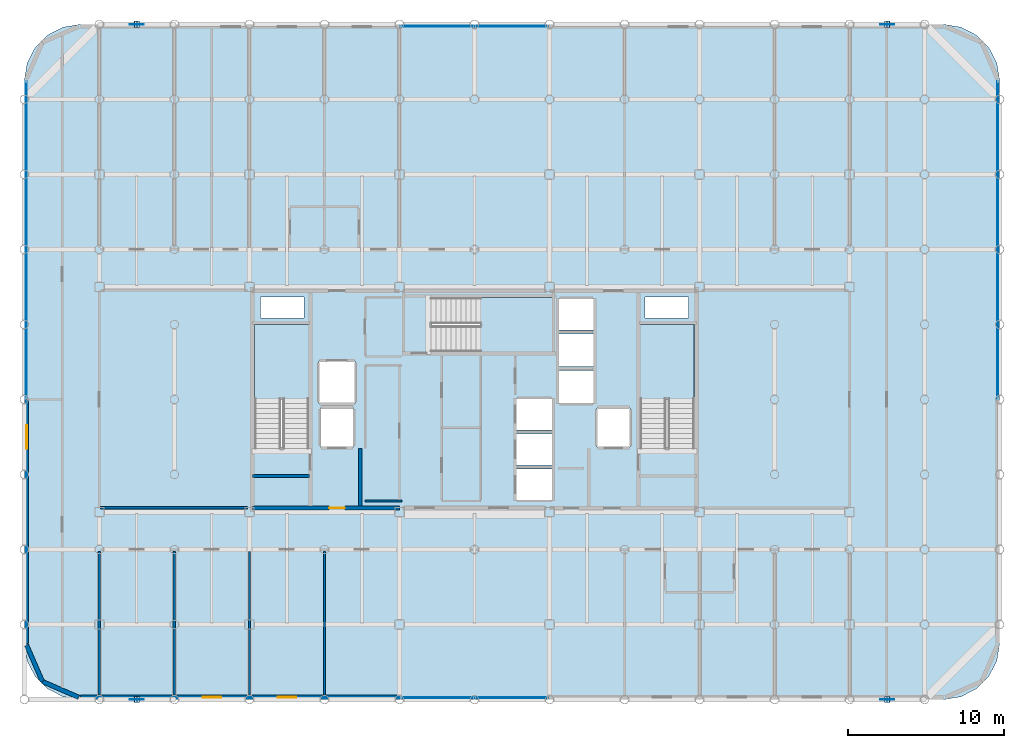
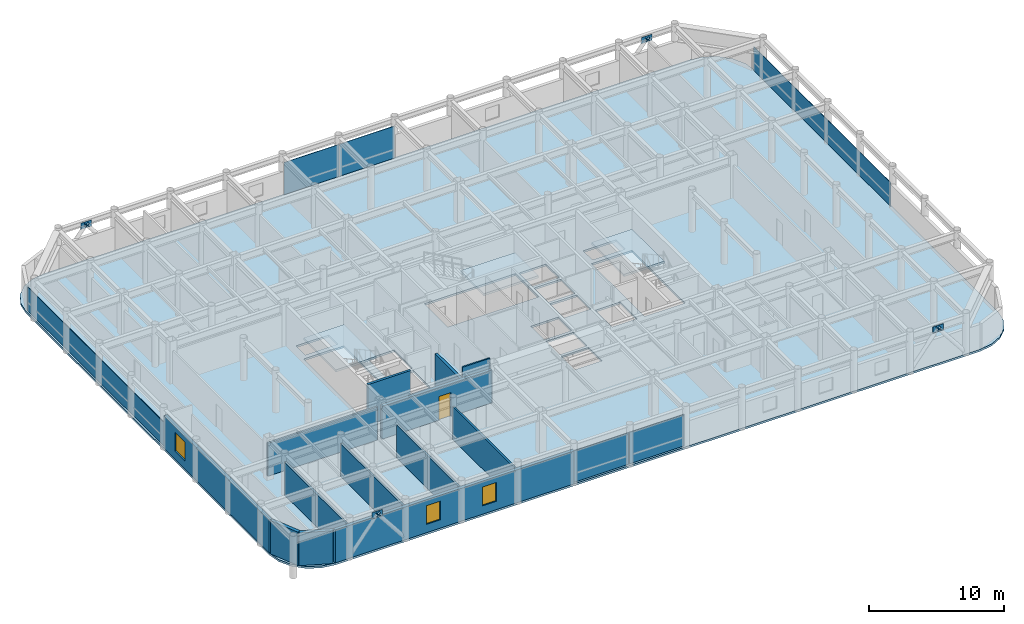
# One storey, part 17 of 22: 18 plates, 13 walls, 4 slabs, 3 windows, 1 door, 4 openings, 7 elements without a shape of their own.
"""IFC4 building model written with IfcOpenShell, lengths in metres."""

from ifc_helpers import new_model, si_unit, direction, frame, frame_2d, origin, origin_2d, place, context, subcontext, project, spatial, polyline, rectangle, outline, extrude, material, layer, layer_set, type_object, element, fill, aggregate, save


model = new_model("IFC4")

# Units and contexts
model_context = context("Model", 3, precision=1e-05, world=origin(), true_north=direction((0.0, 1.0)))
body_context = subcontext(model_context, "Body", "Model", "MODEL_VIEW")
ifc_project = project(units=[si_unit("LENGTHUNIT", "METRE"), si_unit("AREAUNIT", "SQUARE_METRE"), si_unit("VOLUMEUNIT", "CUBIC_METRE"), si_unit("PLANEANGLEUNIT", "RADIAN"), si_unit("MASSUNIT", "GRAM", prefix="KILO")], contexts=[model_context])

# Site, building, storey
site_placement = place(None, origin())
site = spatial("IfcSite", under=ifc_project, at=site_placement, CompositionType="ELEMENT")
building_placement = place(site_placement, origin())
building = spatial("IfcBuilding", under=site, at=building_placement, Name="Kallvorn Hotel Tower", CompositionType="ELEMENT")
storey_placement = place(building_placement, frame((0.0, 0.0, 230.0)))
storey = spatial("IfcBuildingStorey", under=building, at=storey_placement, Name="L57", CompositionType="ELEMENT", Elevation=230.0)

# Curtain wall, plates
ifc_material_1 = material(Name="Thermally broken black-anodised aluminium AA 6063-T6", Category="aluminium")
ifc_layer_1 = layer(ifc_material_1, 0.22998046875)
ifc_layer_set_1 = layer_set([ifc_layer_1], Name="CW_SYS_5_HOTEL_HIGH")
curtain_wall_type = type_object("IfcCurtainWallType", Name="CW_SYS_5_HOTEL_HIGH", PredefinedType="USERDEFINED", material=ifc_layer_set_1)
curtain_wall_1_placement = place(storey_placement, origin())
curtain_wall_1 = element("IfcCurtainWall", 1, at=curtain_wall_1_placement, inside=storey, type_object=curtain_wall_type, Name="L57 Dark-Glass Curtain Wall CW-L57-SC", ObjectType="UNITISED CURTAIN WALL", PredefinedType="USERDEFINED")
ifc_material_2 = material(Name="Triple-glazed low-e acoustic solar-control dark glass", Category="glass")
ifc_layer_2 = layer(ifc_material_2, 0.04150390625)
ifc_layer_set_2 = layer_set([ifc_layer_2], Name="CW_SYS_5_HOTEL_HIGH_PANEL")
plate_type_1 = type_object("IfcPlateType", Name="CW_SYS_5_HOTEL_HIGH_PANEL", PredefinedType="CURTAIN_PANEL", material=ifc_layer_set_2)
plate_1_placement = place(storey_placement, frame((-2.375, -19.080078125, 0.06005859375), z_axis=(0.0, 0.0, 1.0), x_axis=(1.0, 0.0, 0.0)))
plate_1 = element("IfcPlate", 2, at=plate_1_placement, type_object=plate_type_1, Name="CW-L57-SC Vision Glass Panel 00", PredefinedType="CURTAIN_PANEL", context=body_context, shape_type="SweptSolid", body=[
    extrude(rectangle(XDim=4.68994140625, YDim=0.04150390625, at=origin_2d()), origin(), (0.0, 0.0, 1.0), 2.85009765625),
])
plate_2_placement = place(storey_placement, frame((2.375, -19.080078125, 0.06005859375), z_axis=(0.0, 0.0, 1.0), x_axis=(1.0, 0.0, 0.0)))
plate_2 = element("IfcPlate", 3, at=plate_2_placement, type_object=plate_type_1, Name="CW-L57-SC Vision Glass Panel 01", PredefinedType="CURTAIN_PANEL", context=body_context, shape_type="SweptSolid", body=[
    extrude(rectangle(XDim=4.68994140625, YDim=0.04150390625, at=origin_2d()), origin(), (0.0, 0.0, 1.0), 2.85009765625),
])
aggregate(curtain_wall_1, [plate_1, plate_2])

curtain_wall_2_placement = place(storey_placement, origin())
curtain_wall_2 = element("IfcCurtainWall", 4, at=curtain_wall_2_placement, inside=storey, type_object=curtain_wall_type, Name="L57 Dark-Glass Curtain Wall CW-L57-NC", ObjectType="UNITISED CURTAIN WALL", PredefinedType="USERDEFINED")
plate_3_placement = place(storey_placement, frame((-2.375, 23.8798828125, 0.06005859375), z_axis=(0.0, 0.0, 1.0), x_axis=(1.0, 0.0, 0.0)))
plate_3 = element("IfcPlate", 5, at=plate_3_placement, type_object=plate_type_1, Name="CW-L57-NC Vision Glass Panel 00", PredefinedType="CURTAIN_PANEL", context=body_context, shape_type="SweptSolid", body=[
    extrude(rectangle(XDim=4.68994140625, YDim=0.04150390625, at=origin_2d()), origin(), (0.0, 0.0, 1.0), 2.89990234375),
])
plate_4_placement = place(storey_placement, frame((2.375, 23.8798828125, 0.06005859375), z_axis=(0.0, 0.0, 1.0), x_axis=(1.0, 0.0, 0.0)))
plate_4 = element("IfcPlate", 6, at=plate_4_placement, type_object=plate_type_1, Name="CW-L57-NC Vision Glass Panel 01", PredefinedType="CURTAIN_PANEL", context=body_context, shape_type="SweptSolid", body=[
    extrude(rectangle(XDim=4.68994140625, YDim=0.04150390625, at=origin_2d()), origin(), (0.0, 0.0, 1.0), 2.89990234375),
])
aggregate(curtain_wall_2, [plate_3, plate_4])

# Curtain wall, plate
curtain_wall_3_placement = place(storey_placement, origin())
curtain_wall_3 = element("IfcCurtainWall", 7, at=curtain_wall_3_placement, inside=storey, type_object=curtain_wall_type, Name="L57 Dark-Glass Curtain Wall CW-L57-WN", ObjectType="UNITISED CURTAIN WALL", PredefinedType="USERDEFINED")
plate_5_placement = place(storey_placement, frame((-28.679931640625, 10.2099609375, 0.06005859375), z_axis=(0.0, 0.0, 1.0), x_axis=(0.0, 1.0, 0.0)))
plate_5 = element("IfcPlate", 8, at=plate_5_placement, type_object=plate_type_1, Name="CW-L57-WN Vision Glass Panel 00", PredefinedType="CURTAIN_PANEL", context=body_context, shape_type="SweptSolid", body=[
    extrude(rectangle(XDim=20.320068359375, YDim=0.04150390625, at=origin_2d()), origin(), (0.0, 0.0, 1.0), 2.14990234375),
])
aggregate(curtain_wall_3, [plate_5])

curtain_wall_4_placement = place(storey_placement, origin())
curtain_wall_4 = element("IfcCurtainWall", 9, at=curtain_wall_4_placement, inside=storey, type_object=curtain_wall_type, Name="L57 Dark-Glass Curtain Wall CW-L57-EN", ObjectType="UNITISED CURTAIN WALL", PredefinedType="USERDEFINED")
plate_6_placement = place(storey_placement, frame((33.47998046875, 10.2099609375, 0.06005859375), z_axis=(0.0, 0.0, 1.0), x_axis=(0.0, 1.0, 0.0)))
plate_6 = element("IfcPlate", 10, at=plate_6_placement, type_object=plate_type_1, Name="CW-L57-EN Vision Glass Panel 00", PredefinedType="CURTAIN_PANEL", context=body_context, shape_type="SweptSolid", body=[
    extrude(rectangle(XDim=20.320068359375, YDim=0.04150390625, at=origin_2d()), origin(), (0.0, 0.0, 1.0), 2.14990234375),
])
aggregate(curtain_wall_4, [plate_6])

# Plates
ifc_material_3 = material(Name="Structural steel S355JR", Category="steel")
ifc_layer_3 = layer(ifc_material_3, 0.030029296875)
ifc_layer_set_3 = layer_set([ifc_layer_3], Name="PLT_CAP_30")
plate_type_2 = type_object("IfcPlateType", Name="PLT_CAP_30", PredefinedType="SHEET", material=ifc_layer_set_3)
plate_7_placement = place(storey_placement, frame((-21.435546875, -19.40185546875, 3.09228515625), z_axis=(0.621151664719, 0.0, 0.783690378541), x_axis=(0.0, 1.0, 0.0)))
element("IfcPlate", 11, at=plate_7_placement, inside=storey, type_object=plate_type_2, Name="EXO-L57-S1A End Cap Plate B", PredefinedType="SHEET", context=body_context, shape_type="SweptSolid", body=[
    extrude(outline(polyline([(0.0, 0.0), (0.40380859375, 0.0), (0.40380859375, 0.4040503740962029), (0.0, 0.4040503740962029), (0.0, 0.0)])), origin(), (0.0, 0.0, -1.0), 0.030029296875),
])
plate_8_placement = place(storey_placement, frame((-21.764404296875, -18.998046875, 3.09228515625), z_axis=(-0.621445895256, 0.0, 0.783457081957), x_axis=(0.0, -1.0, 0.0)))
element("IfcPlate", 12, at=plate_8_placement, inside=storey, type_object=plate_type_2, Name="EXO-L57-S1B End Cap Plate B", PredefinedType="SHEET", context=body_context, shape_type="SweptSolid", body=[
    extrude(outline(polyline([(0.0, 0.0), (0.40380859375, 0.0), (0.40380859375, 0.40385907190922293), (0.0, 0.40385907190922293), (0.0, 0.0)])), origin(), (0.0, 0.0, -1.0), 0.030029296875),
])
plate_9_placement = place(storey_placement, frame((26.564453125, -19.40185546875, 3.09228515625), z_axis=(0.621151664719, 0.0, 0.783690378541), x_axis=(0.0, 1.0, 0.0)))
element("IfcPlate", 13, at=plate_9_placement, inside=storey, type_object=plate_type_2, Name="EXO-L57-S2A End Cap Plate B", PredefinedType="SHEET", context=body_context, shape_type="SweptSolid", body=[
    extrude(outline(polyline([(0.0, 0.0), (0.40380859375, 0.0), (0.40380859375, 0.4040503740962029), (0.0, 0.4040503740962029), (0.0, 0.0)])), origin(), (0.0, 0.0, -1.0), 0.030029296875),
])
plate_10_placement = place(storey_placement, frame((26.235595703125, -18.998046875, 3.09228515625), z_axis=(-0.621445895256, 0.0, 0.783457081957), x_axis=(0.0, -1.0, 0.0)))
element("IfcPlate", 14, at=plate_10_placement, inside=storey, type_object=plate_type_2, Name="EXO-L57-S2B End Cap Plate B", PredefinedType="SHEET", context=body_context, shape_type="SweptSolid", body=[
    extrude(outline(polyline([(0.0, 0.0), (0.40380859375, 0.0), (0.40380859375, 0.40385907190922293), (0.0, 0.40385907190922293), (0.0, 0.0)])), origin(), (0.0, 0.0, -1.0), 0.030029296875),
])
plate_11_placement = place(storey_placement, frame((-21.435546875, 23.798095703125, 3.09228515625), z_axis=(0.621151664719, 0.0, 0.783690378541), x_axis=(0.0, 1.0, 0.0)))
element("IfcPlate", 15, at=plate_11_placement, inside=storey, type_object=plate_type_2, Name="EXO-L57-N1A End Cap Plate B", PredefinedType="SHEET", context=body_context, shape_type="SweptSolid", body=[
    extrude(outline(polyline([(0.0, 0.0), (0.40380859375, 0.0), (0.40380859375, 0.4040503740962029), (0.0, 0.4040503740962029), (0.0, 0.0)])), origin(), (0.0, 0.0, -1.0), 0.030029296875),
])
plate_12_placement = place(storey_placement, frame((-21.764404296875, 24.201904296875, 3.09228515625), z_axis=(-0.621445895256, 0.0, 0.783457081957), x_axis=(0.0, -1.0, 0.0)))
element("IfcPlate", 16, at=plate_12_placement, inside=storey, type_object=plate_type_2, Name="EXO-L57-N1B End Cap Plate B", PredefinedType="SHEET", context=body_context, shape_type="SweptSolid", body=[
    extrude(outline(polyline([(0.0, 0.0), (0.40380859375, 0.0), (0.40380859375, 0.40385907190922293), (0.0, 0.40385907190922293), (0.0, 0.0)])), origin(), (0.0, 0.0, -1.0), 0.030029296875),
])
plate_13_placement = place(storey_placement, frame((26.564453125, 23.798095703125, 3.09228515625), z_axis=(0.621151664719, 0.0, 0.783690378541), x_axis=(0.0, 1.0, 0.0)))
element("IfcPlate", 17, at=plate_13_placement, inside=storey, type_object=plate_type_2, Name="EXO-L57-N2A End Cap Plate B", PredefinedType="SHEET", context=body_context, shape_type="SweptSolid", body=[
    extrude(outline(polyline([(0.0, 0.0), (0.40380859375, 0.0), (0.40380859375, 0.4040503740962029), (0.0, 0.4040503740962029), (0.0, 0.0)])), origin(), (0.0, 0.0, -1.0), 0.030029296875),
])
plate_14_placement = place(storey_placement, frame((26.235595703125, 24.201904296875, 3.09228515625), z_axis=(-0.621445895256, 0.0, 0.783457081957), x_axis=(0.0, -1.0, 0.0)))
element("IfcPlate", 18, at=plate_14_placement, inside=storey, type_object=plate_type_2, Name="EXO-L57-N2B End Cap Plate B", PredefinedType="SHEET", context=body_context, shape_type="SweptSolid", body=[
    extrude(outline(polyline([(0.0, 0.0), (0.40380859375, 0.0), (0.40380859375, 0.40385907190922293), (0.0, 0.40385907190922293), (0.0, 0.0)])), origin(), (0.0, 0.0, -1.0), 0.030029296875),
])
ifc_material_4 = material(Name="Structural steel S355JR", Category="steel")
ifc_layer_4 = layer(ifc_material_4, 0.034912109375)
ifc_layer_set_4 = layer_set([ifc_layer_4], Name="PLT_GUSSET_35")
plate_type_3 = type_object("IfcPlateType", Name="PLT_GUSSET_35", PredefinedType="USERDEFINED", material=ifc_layer_set_4)
for number, where, z_axis, x_axis, name in (
    (19, (-21.60009765625, -19.199951171875, 2.889892578125), (0.0, 0.0, 1.0), (1.0, 0.0, 0.0), "L57 Exoskeleton Node Gusset S1"),
    (20, (26.39990234375, -19.199951171875, 2.889892578125), (0.0, 0.0, 1.0), (1.0, 0.0, 0.0), "L57 Exoskeleton Node Gusset S2"),
    (21, (-21.60009765625, 24.0, 2.889892578125), (0.0, 0.0, 1.0), (1.0, 0.0, 0.0), "L57 Exoskeleton Node Gusset N1"),
    (22, (26.39990234375, 24.0, 2.889892578125), (0.0, 0.0, 1.0), (1.0, 0.0, 0.0), "L57 Exoskeleton Node Gusset N2"),
):
    element("IfcPlate", number, at=place(storey_placement, frame(where, z_axis=z_axis, x_axis=x_axis)), inside=storey, type_object=plate_type_3, Name=name, ObjectType="GUSSET PLATE", PredefinedType="USERDEFINED", context=body_context, shape_type="SweptSolid", body=[
        extrude(rectangle(XDim=0.89990234375, YDim=0.034912109375, at=origin_2d()), origin(), (0.0, 0.0, 1.0), 0.56005859375),
    ])

# Stair, slab
ifc_material_5 = material(Name="Precast concrete C40/50", Category="concrete")
stair_type = type_object("IfcStairType", Name="STR_CORE_DOGLEG", PredefinedType="HALF_TURN_STAIR", material=ifc_material_5)
stair_1_placement = place(storey_placement, origin())
stair_1 = element("IfcStair", 23, at=stair_1_placement, inside=storey, type_object=stair_type, Name="L57 Exit stair ST1", PredefinedType="HALF_TURN_STAIR")
ifc_material_6 = material(Name="Precast concrete C40/50", Category="concrete")
ifc_layer_5 = layer(ifc_material_6, 0.179931640625)
ifc_layer_set_5 = layer_set([ifc_layer_5], Name="SLB_LANDING_180")
slab_type_1 = type_object("IfcSlabType", Name="SLB_LANDING_180", PredefinedType="LANDING", material=ifc_layer_set_5)
slab_1_placement = place(storey_placement, frame((0.0, 0.0, 1.72509765625)))
slab_1 = element("IfcSlab", 24, at=slab_1_placement, type_object=slab_type_1, Name="ST1 landing 1", PredefinedType="LANDING", context=body_context, shape_type="SweptSolid", body=[
    extrude(outline(polyline([(-10.60009765625, 0.010009765625), (-10.60009765625, 4.800048828125), (-14.06005859375, 4.800048828125), (-14.06005859375, 0.010009765625), (-10.60009765625, 0.010009765625)])), origin(), (0.0, 0.0, 1.0), 0.199951171875),
])
aggregate(stair_1, [slab_1])

stair_2_placement = place(storey_placement, origin())
stair_2 = element("IfcStair", 25, at=stair_2_placement, inside=storey, type_object=stair_type, Name="L57 Exit stair ST2", PredefinedType="HALF_TURN_STAIR")
slab_2_placement = place(storey_placement, frame((0.0, 0.0, 1.72509765625)))
slab_2 = element("IfcSlab", 26, at=slab_2_placement, type_object=slab_type_1, Name="ST2 landing 1", PredefinedType="LANDING", context=body_context, shape_type="SweptSolid", body=[
    extrude(outline(polyline([(14.06005859375, 0.010009765625), (14.06005859375, 4.800048828125), (10.60009765625, 4.800048828125), (10.60009765625, 0.010009765625), (14.06005859375, 0.010009765625)])), origin(), (0.0, 0.0, 1.0), 0.199951171875),
])
aggregate(stair_2, [slab_2])

stair_3_placement = place(storey_placement, origin())
stair_3 = element("IfcStair", 27, at=stair_3_placement, inside=storey, type_object=stair_type, Name="L57 Exit stair ST3", PredefinedType="HALF_TURN_STAIR")
slab_3_placement = place(storey_placement, frame((0.0, 0.0, 1.72509765625)))
slab_3 = element("IfcSlab", 28, at=slab_3_placement, type_object=slab_type_1, Name="ST3 landing 1", PredefinedType="LANDING", context=body_context, shape_type="SweptSolid", body=[
    extrude(outline(polyline([(0.360107421875, 3.050048828125), (5.050048828125, 3.050048828125), (5.050048828125, 6.510009765625), (0.360107421875, 6.510009765625), (0.360107421875, 3.050048828125)])), origin(), (0.0, 0.0, 1.0), 0.199951171875),
])
aggregate(stair_3, [slab_3])

# Slab
ifc_material_7 = material(Name="Concrete C40/50", Category="concrete")
ifc_layer_6 = layer(ifc_material_7, 0.179931640625)
ifc_layer_set_6 = layer_set([ifc_layer_6], Name="SLB_TOWER_180")
slab_type_2 = type_object("IfcSlabType", Name="SLB_TOWER_180", PredefinedType="FLOOR", material=ifc_layer_set_6)
slab_4_placement = place(storey_placement, frame((0.0, 0.0, -0.179931640625)))
element("IfcSlab", 29, at=slab_4_placement, inside=storey, type_object=slab_type_2, Name="L57 Structural Floor Slab", PredefinedType="FLOOR", context=body_context, shape_type="SweptSolid", body=[
    extrude(outline(polyline([(30.0, -19.199951171875), (31.112548828125, -19.023681640625), (32.115966796875, -18.512451171875), (32.91259765625, -17.716064453125), (33.423828125, -16.71240234375), (33.60009765625, -15.60009765625), (33.60009765625, 20.39990234375), (33.423828125, 21.512451171875), (32.91259765625, 22.51611328125), (32.115966796875, 23.3125), (31.112548828125, 23.82373046875), (30.0, 24.0), (-25.199951171875, 24.0), (-26.3125, 23.82373046875), (-27.31591796875, 23.3125), (-28.112548828125, 22.51611328125), (-28.623779296875, 21.512451171875), (-28.800048828125, 20.39990234375), (-28.800048828125, -15.60009765625), (-28.623779296875, -16.71240234375), (-28.112548828125, -17.716064453125), (-27.31591796875, -18.512451171875), (-26.3125, -19.023681640625), (-25.199951171875, -19.199951171875), (30.0, -19.199951171875)]), holes=[polyline([(-10.60009765625, -3.070068359375), (-10.60009765625, 4.800048828125), (-14.06005859375, 4.800048828125), (-14.06005859375, -3.070068359375), (-10.60009765625, -3.070068359375)]), polyline([(14.06005859375, -3.070068359375), (14.06005859375, 4.800048828125), (10.60009765625, 4.800048828125), (10.60009765625, -3.070068359375), (14.06005859375, -3.070068359375)]), polyline([(-2.719970703125, 3.050048828125), (5.050048828125, 3.050048828125), (5.050048828125, 6.510009765625), (-2.719970703125, 6.510009765625), (-2.719970703125, 3.050048828125)]), polyline([(2.64990234375, -6.449951171875), (5.0, -6.449951171875), (5.0, -4.449951171875), (2.64990234375, -4.449951171875), (2.64990234375, -6.449951171875)]), polyline([(2.64990234375, -4.199951171875), (5.0, -4.199951171875), (5.0, -2.199951171875), (2.64990234375, -2.199951171875), (2.64990234375, -4.199951171875)]), polyline([(2.64990234375, -1.949951171875), (5.0, -1.949951171875), (5.0, 0.050048828125), (2.64990234375, 0.050048828125), (2.64990234375, -1.949951171875)]), polyline([(5.35009765625, -0.25), (7.64990234375, -0.25), (7.64990234375, 1.85009765625), (5.35009765625, 1.85009765625), (5.35009765625, -0.25)]), polyline([(5.35009765625, 2.10009765625), (7.64990234375, 2.10009765625), (7.64990234375, 4.199951171875), (5.35009765625, 4.199951171875), (5.35009765625, 2.10009765625)]), polyline([(5.35009765625, 4.449951171875), (7.64990234375, 4.449951171875), (7.64990234375, 6.449951171875), (5.35009765625, 6.449951171875), (5.35009765625, 4.449951171875)]), polyline([(-9.85009765625, -3.050048828125), (-7.75, -3.050048828125), (-7.75, -0.550048828125), (-9.85009765625, -0.550048828125), (-9.85009765625, -3.050048828125)]), polyline([(7.85009765625, -3.050048828125), (9.949951171875, -3.050048828125), (9.949951171875, -0.550048828125), (7.85009765625, -0.550048828125), (7.85009765625, -3.050048828125)]), polyline([(-9.949951171875, -0.25), (-7.64990234375, -0.25), (-7.64990234375, 2.449951171875), (-9.949951171875, 2.449951171875), (-9.949951171875, -0.25)]), polyline([(-13.699951171875, 5.199951171875), (-10.89990234375, 5.199951171875), (-10.89990234375, 6.550048828125), (-13.699951171875, 6.550048828125), (-13.699951171875, 5.199951171875)]), polyline([(10.89990234375, 5.199951171875), (13.699951171875, 5.199951171875), (13.699951171875, 6.550048828125), (10.89990234375, 6.550048828125), (10.89990234375, 5.199951171875)])]), origin(), (0.0, 0.0, 1.0), 0.179931640625),
])

# Walls
ifc_material_8 = material(Name="Precast basalt-clad insulated concrete wall C40/50", Category="masonry")
ifc_layer_7 = layer(ifc_material_8, 0.280029296875)
ifc_layer_set_7 = layer_set([ifc_layer_7], Name="WL_EXT_LOGGIA_280")
wall_type_1 = type_object("IfcWallType", Name="WL_EXT_LOGGIA_280", PredefinedType="SOLIDWALL", material=ifc_layer_set_7)
wall_1_placement = place(storey_placement, frame((-28.657958984375, -15.720703125, 0.0), z_axis=(0.0, 0.0, 1.0), x_axis=(0.398792985289, -0.917040977756, 0.0)))
element("IfcWall", 30, at=wall_1_placement, inside=storey, type_object=wall_type_1, Name="L57 Rounded Corner Exterior Wall SW1", PredefinedType="SOLIDWALL", context=body_context, shape_type="SweptSolid", body=[
    extrude(rectangle(XDim=2.536376953125, YDim=0.280029296875, at=frame_2d((1.26806640625, 0.0))), origin(), (0.0, 0.0, 1.0), 3.02001953125),
])
wall_2_placement = place(storey_placement, frame((-27.646484375, -18.046630859375, 0.0), z_axis=(0.0, 0.0, 1.0), x_axis=(0.917060872934, -0.398747232384, 0.0)))
element("IfcWall", 31, at=wall_2_placement, inside=storey, type_object=wall_type_1, Name="L57 Rounded Corner Exterior Wall SW2", PredefinedType="SOLIDWALL", context=body_context, shape_type="SweptSolid", body=[
    extrude(rectangle(XDim=2.5361328125, YDim=0.280029296875, at=frame_2d((1.26806640625, 0.0))), origin(), (0.0, 0.0, 1.0), 2.969970703125),
])

# Wall, openings, windows
wall_3_placement = place(storey_placement, frame((-25.199951171875, -19.06005859375, 0.0), z_axis=(0.0, 0.0, 1.0), x_axis=(1.0, 0.0, 0.0)))
wall_3 = element("IfcWall", 32, at=wall_3_placement, inside=storey, type_object=wall_type_1, Name="L57 Exterior Envelope Wall EW-L57-SW", PredefinedType="SOLIDWALL", context=body_context, shape_type="SweptSolid", body=[
    extrude(rectangle(XDim=20.449951171875, YDim=0.280029296875, at=frame_2d((10.22509765625, 0.0))), origin(), (0.0, 0.0, 1.0), 2.969970703125),
])
opening_1_placement = place(wall_3_placement, frame((7.800048828125, 0.0, 0.75)))
opening_1 = element("IfcOpeningElement", 33, at=opening_1_placement, cuts=wall_3, Name="Opening W06", PredefinedType="OPENING", context=body_context, shape_type="SweptSolid", body=[
    extrude(rectangle(XDim=1.199951171875, YDim=1.699951171875, at=frame_2d((0.60009765625, 0.85009765625))), frame((0.0, 0.155029296875, 0.0), z_axis=(0.0, -1.0, 0.0), x_axis=(1.0, 0.0, 0.0)), (0.0, 0.0, 1.0), 0.31005859375),
])
opening_2_placement = place(wall_3_placement, frame((12.60009765625, 0.0, 0.75)))
opening_2 = element("IfcOpeningElement", 34, at=opening_2_placement, cuts=wall_3, Name="Opening W06", PredefinedType="OPENING", context=body_context, shape_type="SweptSolid", body=[
    extrude(rectangle(XDim=1.199951171875, YDim=1.699951171875, at=frame_2d((0.60009765625, 0.85009765625))), frame((0.0, 0.155029296875, 0.0), z_axis=(0.0, -1.0, 0.0), x_axis=(1.0, 0.0, 0.0)), (0.0, 0.0, 1.0), 0.31005859375),
])
ifc_material_9 = material(Name="Triple-glazed low-e acoustic solar-control dark glass", Category="glass")
window_type_1 = type_object("IfcWindowType", Name="WN_HTL_1200x1700", PartitioningType="SINGLE_PANEL", PredefinedType="WINDOW", material=ifc_material_9)
window_1_placement = place(opening_1_placement, origin())
window_1 = element("IfcWindow", 35, at=window_1_placement, inside=storey, type_object=window_type_1, Name="L57 Guestroom Exterior Window 04", OverallHeight=1.699951171875, OverallWidth=1.199951171875, PartitioningType="SINGLE_PANEL", PredefinedType="WINDOW", context=body_context, shape_type="SweptSolid", body=[
    extrude(rectangle(XDim=1.199951171875, YDim=1.699951171875, at=frame_2d((0.60009765625, 0.85009765625))), frame((0.0, 0.030029296875, 0.0), z_axis=(0.0, -1.0, 0.0), x_axis=(1.0, 0.0, 0.0)), (0.0, 0.0, 1.0), 0.06005859375),
])
fill(opening_1, window_1)
window_2_placement = place(opening_2_placement, origin())
window_2 = element("IfcWindow", 36, at=window_2_placement, inside=storey, type_object=window_type_1, Name="L57 Guestroom Exterior Window 05", OverallHeight=1.699951171875, OverallWidth=1.199951171875, PartitioningType="SINGLE_PANEL", PredefinedType="WINDOW", context=body_context, shape_type="SweptSolid", body=[
    extrude(rectangle(XDim=1.199951171875, YDim=1.699951171875, at=frame_2d((0.60009765625, 0.85009765625))), frame((0.0, 0.030029296875, 0.0), z_axis=(0.0, -1.0, 0.0), x_axis=(1.0, 0.0, 0.0)), (0.0, 0.0, 1.0), 0.06005859375),
])
fill(opening_2, window_2)

# Wall, opening, window
wall_4_placement = place(storey_placement, frame((-28.659912109375, -15.60009765625, 0.0), z_axis=(0.0, 0.0, 1.0), x_axis=(0.0, 1.0, 0.0)))
wall_4 = element("IfcWall", 37, at=wall_4_placement, inside=storey, type_object=wall_type_1, Name="L57 Exterior Envelope Wall EW-L57-WS", PredefinedType="SOLIDWALL", context=body_context, shape_type="SweptSolid", body=[
    extrude(rectangle(XDim=15.580078125, YDim=0.280029296875, at=frame_2d((7.7900390625, 0.0))), origin(), (0.0, 0.0, 1.0), 2.969970703125),
])
opening_3_placement = place(wall_4_placement, frame((12.449951171875, 0.0, 0.75)))
opening_3 = element("IfcOpeningElement", 38, at=opening_3_placement, cuts=wall_4, Name="Opening W05", PredefinedType="OPENING", context=body_context, shape_type="SweptSolid", body=[
    extrude(rectangle(XDim=1.5, YDim=1.699951171875, at=frame_2d((0.75, 0.85009765625))), frame((0.0, 0.155029296875, 0.0), z_axis=(0.0, -1.0, 0.0), x_axis=(1.0, 0.0, 0.0)), (0.0, 0.0, 1.0), 0.31005859375),
])
ifc_material_10 = material(Name="Double-glazed low-e solar-control dark glass", Category="glass")
window_type_2 = type_object("IfcWindowType", Name="WN_HTL_1500x1700", PartitioningType="SINGLE_PANEL", PredefinedType="WINDOW", material=ifc_material_10)
window_3_placement = place(opening_3_placement, origin())
window_3 = element("IfcWindow", 39, at=window_3_placement, inside=storey, type_object=window_type_2, Name="L57 Flank Wing Window 03", OverallHeight=1.699951171875, OverallWidth=1.5, PartitioningType="SINGLE_PANEL", PredefinedType="WINDOW", context=body_context, shape_type="SweptSolid", body=[
    extrude(rectangle(XDim=1.5, YDim=1.699951171875, at=frame_2d((0.75, 0.85009765625))), frame((0.0, 0.030029296875, 0.0), z_axis=(0.0, -1.0, 0.0), x_axis=(1.0, 0.0, 0.0)), (0.0, 0.0, 1.0), 0.06005859375),
])
fill(opening_3, window_3)

# Walls
ifc_material_11 = material(Name="Concrete C40/50", Category="concrete")
ifc_layer_8 = layer(ifc_material_11, 0.219970703125)
ifc_layer_set_8 = layer_set([ifc_layer_8], Name="WL_FFL_220")
wall_type_2 = type_object("IfcWallType", Name="WL_FFL_220", PredefinedType="SOLIDWALL", material=ifc_layer_set_8)
wall_5_placement = place(storey_placement, frame((-7.300048828125, -6.820068359375, 0.0), z_axis=(0.0, 0.0, 1.0), x_axis=(0.0, 1.0, 0.0)))
element("IfcWall", 40, at=wall_5_placement, inside=storey, type_object=wall_type_2, Name="L57 Firefighting Lobby West Divider Wall", PredefinedType="SOLIDWALL", context=body_context, shape_type="SweptSolid", body=[
    extrude(rectangle(XDim=3.670166015625, YDim=0.219970703125, at=frame_2d((1.8349609375, 0.0))), origin(), (0.0, 0.0, 1.0), 2.969970703125),
])
ifc_material_12 = material(Name="Concrete C40/50", Category="concrete")
ifc_layer_9 = layer(ifc_material_12, 0.199951171875)
ifc_layer_set_9 = layer_set([ifc_layer_9], Name="WL_HOIST_200")
wall_type_3 = type_object("IfcWallType", Name="WL_HOIST_200", PredefinedType="SOLIDWALL", material=ifc_layer_set_9)
wall_6_placement = place(storey_placement, frame((-14.199951171875, -4.89990234375, -0.179931640625), z_axis=(0.0, 0.0, 1.0), x_axis=(1.0, 0.0, 0.0)))
element("IfcWall", 41, at=wall_6_placement, inside=storey, type_object=wall_type_3, Name="L57 Stair ST1 South Wall", PredefinedType="SOLIDWALL", context=body_context, shape_type="SweptSolid", body=[
    extrude(rectangle(XDim=3.64990234375, YDim=0.199951171875, at=frame_2d((1.824951171875, 0.0))), origin(), (0.0, 0.0, 1.0), 3.849853515625),
])
ifc_material_13 = material(Name="Fire-rated double-layer acoustic gypsum drywall EI 60")
ifc_layer_10 = layer(ifc_material_13, 0.1201171875)
ifc_layer_set_10 = layer_set([ifc_layer_10], Name="WL_INT_120")
wall_type_4 = type_object("IfcWallType", Name="WL_INT_120", PredefinedType="PARTITIONING", material=ifc_layer_set_10)
wall_7_placement = place(storey_placement, frame((-7.0, -6.5, 0.0), z_axis=(0.0, 0.0, 1.0), x_axis=(1.0, 0.0, 0.0)))
element("IfcWall", 42, at=wall_7_placement, inside=storey, type_object=wall_type_4, Name="L57 Recaptured Butler and Room-Service Pantry Partition", PredefinedType="PARTITIONING", context=body_context, shape_type="SweptSolid", body=[
    extrude(rectangle(XDim=2.35009765625, YDim=0.1201171875, at=frame_2d((1.175048828125, 0.0))), origin(), (0.0, 0.0, 1.0), 3.669921875),
])
ifc_material_14 = material(Name="Fire-rated double-layer acoustic gypsum drywall EI 60")
ifc_layer_11 = layer(ifc_material_14, 0.14990234375)
ifc_layer_set_11 = layer_set([ifc_layer_11], Name="WL_PART_150")
wall_type_5 = type_object("IfcWallType", Name="WL_PART_150", PredefinedType="PARTITIONING", material=ifc_layer_set_11)
wall_8_placement = place(storey_placement, frame((-23.919921875, -6.919921875, 0.0), z_axis=(0.0, 0.0, 1.0), x_axis=(1.0, 0.0, 0.0)))
element("IfcWall", 43, at=wall_8_placement, inside=storey, type_object=wall_type_5, Name="L57 L57 High-Zone Inner West Club Bar Partition", PredefinedType="PARTITIONING", context=body_context, shape_type="SweptSolid", body=[
    extrude(rectangle(XDim=9.39990234375, YDim=0.14990234375, at=frame_2d((4.699951171875, 0.0))), origin(), (0.0, 0.0, 1.0), 2.969970703125),
])
for number, where, z_axis, x_axis, name in (
    (44, (-24.0, -18.909912109375, 0.0), (0.0, 0.0, 1.0), (0.0, 1.0, 0.0), "L57 L57 High-Zone South-West Tea Bar Partition"),
    (45, (-19.199951171875, -18.909912109375, 0.0), (0.0, 0.0, 1.0), (0.0, 1.0, 0.0), "L57 L57 High-Zone South-West Tea Bar Partition"),
    (46, (-14.39990234375, -18.909912109375, 0.0), (0.0, 0.0, 1.0), (0.0, 1.0, 0.0), "L57 L57 Thermal Hydrotherapy Treatment Suite 1-1 Partition"),
    (47, (-9.60009765625, -18.909912109375, 0.0), (0.0, 0.0, 1.0), (0.0, 1.0, 0.0), "L57 L57 Panoramic Club Sky Lounge 2 Partition"),
):
    element("IfcWall", number, at=place(storey_placement, frame(where, z_axis=z_axis, x_axis=x_axis)), inside=storey, type_object=wall_type_5, Name=name, PredefinedType="PARTITIONING", context=body_context, shape_type="SweptSolid", body=[
        extrude(rectangle(XDim=9.18994140625, YDim=0.14990234375, at=frame_2d((4.594970703125, 0.0))), origin(), (0.0, 0.0, 1.0), 2.969970703125),
    ])

# Wall, opening, door
ifc_material_15 = material(Name="Concrete C40/50", Category="concrete")
ifc_layer_12 = layer(ifc_material_15, 0.25)
ifc_layer_set_12 = layer_set([ifc_layer_12], Name="WL_SHAFT_250")
wall_type_6 = type_object("IfcWallType", Name="WL_SHAFT_250", PredefinedType="SOLIDWALL", material=ifc_layer_set_12)
wall_9_placement = place(storey_placement, frame((-14.199951171875, -6.949951171875, 0.0), z_axis=(0.0, 0.0, 1.0), x_axis=(1.0, 0.0, 0.0)))
wall_9 = element("IfcWall", 48, at=wall_9_placement, inside=storey, type_object=wall_type_6, Name="L57 Core South-West Wall", PredefinedType="SOLIDWALL", context=body_context, shape_type="SweptSolid", body=[
    extrude(rectangle(XDim=9.39990234375, YDim=0.25, at=frame_2d((4.699951171875, 0.0))), origin(), (0.0, 0.0, 1.0), 2.969970703125),
])
opening_4_placement = place(wall_9_placement, frame((4.89990234375, 0.0, 0.0)))
opening_4 = element("IfcOpeningElement", 49, at=opening_4_placement, cuts=wall_9, Name="Opening FD1", PredefinedType="OPENING", context=body_context, shape_type="SweptSolid", body=[
    extrude(rectangle(XDim=1.0, YDim=2.14990234375, at=frame_2d((0.5, 1.074951171875))), frame((0.0, 0.139892578125, 0.0), z_axis=(0.0, -1.0, 0.0), x_axis=(1.0, 0.0, 0.0)), (0.0, 0.0, 1.0), 0.280029296875),
])
ifc_material_16 = material(Name="Galvanised painted steel fire-rated door assembly", Category="steel")
door_type = type_object("IfcDoorType", Name="DR_FFL_1000x2150", OperationType="NOTDEFINED", PredefinedType="DOOR", material=ifc_material_16)
door_placement = place(opening_4_placement, origin())
door = element("IfcDoor", 50, at=door_placement, inside=storey, type_object=door_type, Name="L57 Firefighting Lobby West Door", OperationType="SINGLE_SWING_LEFT", OverallHeight=2.14990234375, OverallWidth=1.0, PredefinedType="DOOR", context=body_context, shape_type="SweptSolid", body=[
    extrude(rectangle(XDim=1.0, YDim=2.14990234375, at=frame_2d((0.5, 1.074951171875))), frame((0.0, 0.02490234375, 0.0), z_axis=(0.0, -1.0, 0.0), x_axis=(1.0, 0.0, 0.0)), (0.0, 0.0, 1.0), 0.050048828125),
])
fill(opening_4, door)

save(model, "model.ifc")
